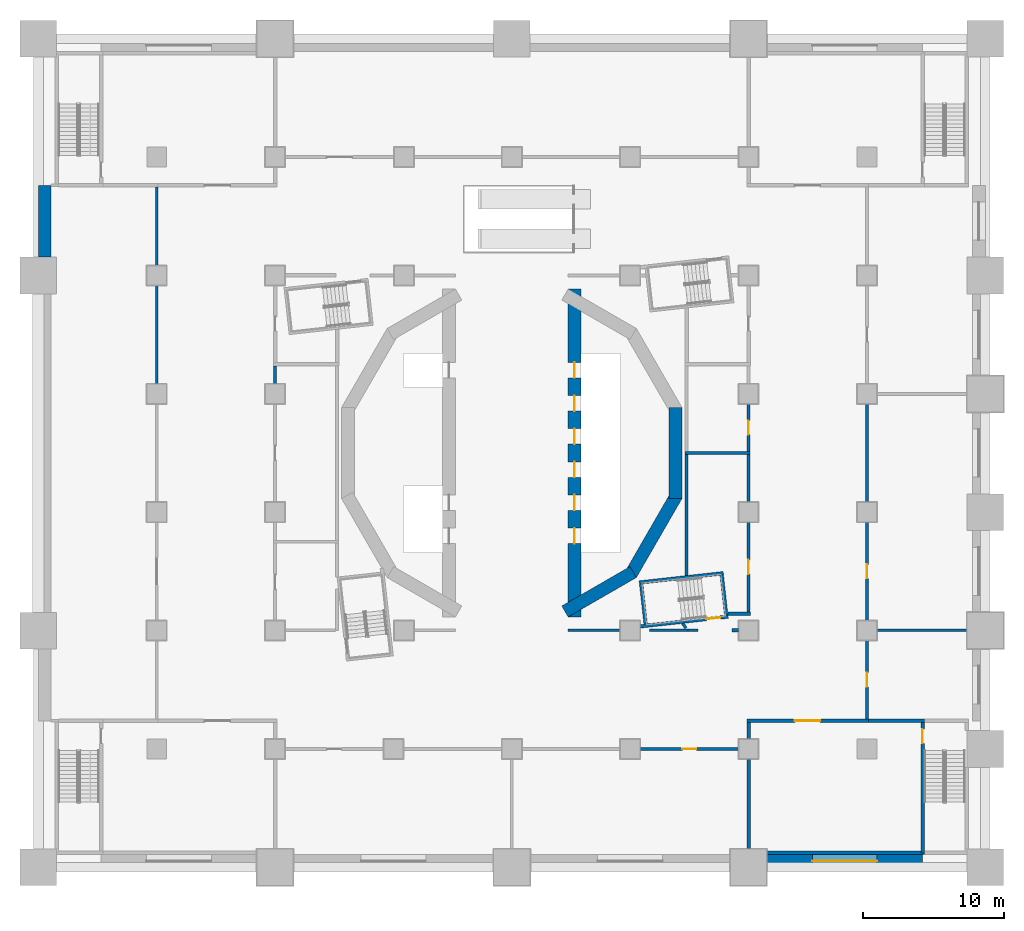
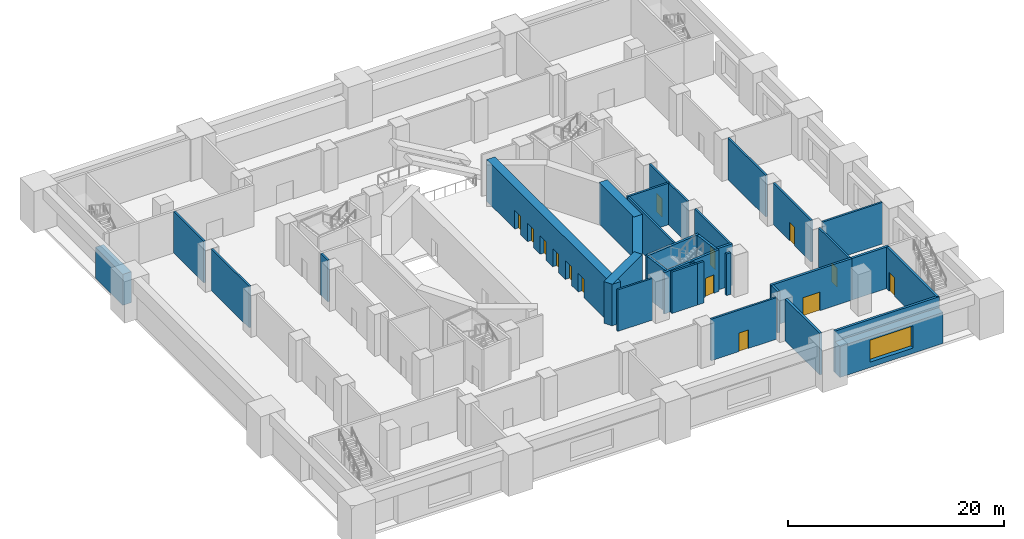
# One storey, part 3 of 18: 35 walls, 14 doors, 1 window, 15 openings.
"""IFC4 building model written with IfcOpenShell, lengths in metres."""

from ifc_helpers import new_model, si_unit, direction, frame, frame_2d, origin, place, context, subcontext, project, spatial, rectangle, extrude, material, layer, layer_set, type_object, element, fill, save


model = new_model("IFC4")

# Units and contexts
model_context = context("Model", 3, precision=1e-05, world=origin(), true_north=direction((0.0, 1.0)))
body_context = subcontext(model_context, "Body", "Model", "MODEL_VIEW")
ifc_project = project(units=[si_unit("LENGTHUNIT", "METRE"), si_unit("AREAUNIT", "SQUARE_METRE"), si_unit("VOLUMEUNIT", "CUBIC_METRE"), si_unit("PLANEANGLEUNIT", "RADIAN"), si_unit("MASSUNIT", "GRAM", prefix="KILO")], contexts=[model_context])

# Site, building, storey
site_placement = place(None, origin())
site = spatial("IfcSite", under=ifc_project, at=site_placement, CompositionType="ELEMENT")
building_placement = place(site_placement, origin())
building = spatial("IfcBuilding", under=site, at=building_placement, Name="Cantera Rosa Tower", CompositionType="ELEMENT")
storey_placement = place(building_placement, frame((0.0, 0.0, 17.0)))
storey = spatial("IfcBuildingStorey", under=building, at=storey_placement, Name="L02", CompositionType="ELEMENT", Elevation=17.0)

# Walls
ifc_material_1 = material(Name="Masonry blockwork", Category="masonry")
ifc_layer_1 = layer(ifc_material_1, 0.199951171875)
ifc_layer_set_1 = layer_set([ifc_layer_1], Name="Blockwork partition 200")
wall_type_1 = type_object("IfcWallType", Name="Blockwork partition 200", PredefinedType="PARTITIONING", material=ifc_layer_set_1)
wall_1_placement = place(storey_placement, frame((4.0, -12.57666015625, 0.0), z_axis=(0.0, 0.0, 1.0), x_axis=(1.0, 0.0, 0.0)))
element("IfcWall", 1, at=wall_1_placement, inside=storey, type_object=wall_type_1, Name="Partition L02-3", PredefinedType="PARTITIONING", context=body_context, shape_type="SweptSolid", body=[
    extrude(rectangle(XDim=3.699951171875, YDim=0.199951171875, at=frame_2d((1.85009765625, 0.0))), origin(), (0.0, 0.0, 1.0), 4.699951171875),
])
wall_2_placement = place(storey_placement, frame((9.768798828125, -12.57666015625, 0.0), z_axis=(0.0, 0.0, 1.0), x_axis=(1.0, 0.0, 0.0)))
element("IfcWall", 2, at=wall_2_placement, inside=storey, type_object=wall_type_1, Name="Partition L02-4", PredefinedType="PARTITIONING", context=body_context, shape_type="SweptSolid", body=[
    extrude(rectangle(XDim=2.731201171875, YDim=0.199951171875, at=frame_2d((1.36572265625, 0.0))), origin(), (0.0, 0.0, 1.0), 4.699951171875),
])
wall_3_placement = place(storey_placement, frame((12.5, -12.57666015625, 0.0), z_axis=(0.0, 0.0, 1.0), x_axis=(1.0, 0.0, 0.0)))
element("IfcWall", 3, at=wall_3_placement, inside=storey, type_object=wall_type_1, Name="Partition L02-5", PredefinedType="PARTITIONING", context=body_context, shape_type="SweptSolid", body=[
    extrude(rectangle(XDim=0.69873046875, YDim=0.199951171875, at=frame_2d((0.349365234375, 0.0))), origin(), (0.0, 0.0, 1.0), 4.699951171875),
])
wall_4_placement = place(storey_placement, frame((25.89990234375, -12.57666015625, 0.0), z_axis=(0.0, 0.0, 1.0), x_axis=(1.0, 0.0, 0.0)))
element("IfcWall", 4, at=wall_4_placement, inside=storey, type_object=wall_type_1, Name="Partition L02-7", PredefinedType="PARTITIONING", context=body_context, shape_type="SweptSolid", body=[
    extrude(rectangle(XDim=6.400146484375, YDim=0.199951171875, at=frame_2d((3.2001953125, 0.0))), origin(), (0.0, 0.0, 1.0), 4.699951171875),
])
wall_5_placement = place(storey_placement, frame((12.36474609375, -12.427978515625, 0.0), z_axis=(0.0, 0.0, 1.0), x_axis=(-0.586657106045, 0.809835440029, 0.0)))
element("IfcWall", 5, at=wall_5_placement, inside=storey, type_object=wall_type_1, Name="Partition L02-18", PredefinedType="PARTITIONING", context=body_context, shape_type="SweptSolid", body=[
    extrude(rectangle(XDim=0.412353515625, YDim=0.199951171875, at=frame_2d((0.2060546875, 0.0))), origin(), (0.0, 0.0, 1.0), 4.699951171875),
])
wall_6_placement = place(storey_placement, frame((12.39990234375, -8.6923828125, 0.0), z_axis=(0.0, 0.0, 1.0), x_axis=(0.0, 1.0, 0.0)))
element("IfcWall", 6, at=wall_6_placement, inside=storey, type_object=wall_type_1, Name="Partition L02-19", PredefinedType="PARTITIONING", context=body_context, shape_type="SweptSolid", body=[
    extrude(rectangle(XDim=8.59228515625, YDim=0.199951171875, at=frame_2d((4.296142578125, 0.0))), origin(), (0.0, 0.0, 1.0), 4.699951171875),
])
wall_7_placement = place(storey_placement, frame((12.300048828125, 0.0, 0.0), z_axis=(0.0, 0.0, 1.0), x_axis=(1.0, 0.0, 0.0)))
element("IfcWall", 7, at=wall_7_placement, inside=storey, type_object=wall_type_1, Name="Partition L02-22", PredefinedType="PARTITIONING", context=body_context, shape_type="SweptSolid", body=[
    extrude(rectangle(XDim=4.599853515625, YDim=0.199951171875, at=frame_2d((2.2998046875, 0.0))), origin(), (0.0, 0.0, 1.0), 4.699951171875),
])

# Wall, opening, door
wall_8_placement = place(storey_placement, frame((16.800048828125, -11.27490234375, 0.0), z_axis=(0.0, 0.0, 1.0), x_axis=(0.0, 1.0, 0.0)))
wall_8 = element("IfcWall", 8, at=wall_8_placement, inside=storey, type_object=wall_type_1, Name="Partition L02-25", PredefinedType="PARTITIONING", context=body_context, shape_type="SweptSolid", body=[
    extrude(rectangle(XDim=6.375, YDim=0.199951171875, at=frame_2d((3.1875, 0.0))), origin(), (0.0, 0.0, 1.0), 4.699951171875),
])
opening_1_placement = place(wall_8_placement, frame((2.6875, 0.0, 0.0)))
opening_1 = element("IfcOpeningElement", 9, at=opening_1_placement, cuts=wall_8, Name="Opening L02-008", PredefinedType="OPENING", context=body_context, shape_type="SweptSolid", body=[
    extrude(rectangle(XDim=1.0, YDim=2.10009765625, at=frame_2d((0.5, 1.050048828125))), frame((0.0, 0.10986328125, 0.0), z_axis=(0.0, -1.0, 0.0), x_axis=(1.0, 0.0, 0.0)), (0.0, 0.0, 1.0), 0.219970703125),
])
ifc_material_2 = material(Name="Timber", Category="wood")
door_type_1 = type_object("IfcDoorType", Name="Door 1000x2100", OperationType="NOTDEFINED", PredefinedType="DOOR", material=ifc_material_2)
door_1_placement = place(opening_1_placement, origin())
door_1 = element("IfcDoor", 10, at=door_1_placement, inside=storey, type_object=door_type_1, Name="Door L02-008", OverallHeight=2.10009765625, OverallWidth=1.0, PredefinedType="DOOR", context=body_context, shape_type="SweptSolid", body=[
    extrude(rectangle(XDim=1.0, YDim=2.10009765625, at=frame_2d((0.5, 1.050048828125))), frame((0.0, 0.02490234375, 0.0), z_axis=(0.0, -1.0, 0.0), x_axis=(1.0, 0.0, 0.0)), (0.0, 0.0, 1.0), 0.050048828125),
])
fill(opening_1, door_1)

# Wall
wall_9_placement = place(storey_placement, frame((16.800048828125, -3.5, 0.0), z_axis=(0.0, 0.0, 1.0), x_axis=(0.0, 1.0, 0.0)))
element("IfcWall", 11, at=wall_9_placement, inside=storey, type_object=wall_type_1, Name="Partition L02-26", PredefinedType="PARTITIONING", context=body_context, shape_type="SweptSolid", body=[
    extrude(rectangle(XDim=3.39990234375, YDim=0.199951171875, at=frame_2d((1.699951171875, 0.0))), origin(), (0.0, 0.0, 1.0), 4.699951171875),
])

# Wall, opening, door
wall_10_placement = place(storey_placement, frame((16.800048828125, 0.10009765625, 0.0), z_axis=(0.0, 0.0, 1.0), x_axis=(0.0, 1.0, 0.0)))
wall_10 = element("IfcWall", 12, at=wall_10_placement, inside=storey, type_object=wall_type_1, Name="Partition L02-27", PredefinedType="PARTITIONING", context=body_context, shape_type="SweptSolid", body=[
    extrude(rectangle(XDim=3.39990234375, YDim=0.199951171875, at=frame_2d((1.699951171875, 0.0))), origin(), (0.0, 0.0, 1.0), 4.699951171875),
])
opening_2_placement = place(wall_10_placement, frame((1.199951171875, 0.0, 0.0)))
opening_2 = element("IfcOpeningElement", 13, at=opening_2_placement, cuts=wall_10, Name="Opening L02-009", PredefinedType="OPENING", context=body_context, shape_type="SweptSolid", body=[
    extrude(rectangle(XDim=1.0, YDim=2.10009765625, at=frame_2d((0.5, 1.050048828125))), frame((0.0, 0.10986328125, 0.0), z_axis=(0.0, -1.0, 0.0), x_axis=(1.0, 0.0, 0.0)), (0.0, 0.0, 1.0), 0.219970703125),
])
door_2_placement = place(opening_2_placement, origin())
door_2 = element("IfcDoor", 14, at=door_2_placement, inside=storey, type_object=door_type_1, Name="Door L02-009", OverallHeight=2.10009765625, OverallWidth=1.0, PredefinedType="DOOR", context=body_context, shape_type="SweptSolid", body=[
    extrude(rectangle(XDim=1.0, YDim=2.10009765625, at=frame_2d((0.5, 1.050048828125))), frame((0.0, 0.02490234375, 0.0), z_axis=(0.0, -1.0, 0.0), x_axis=(1.0, 0.0, 0.0)), (0.0, 0.0, 1.0), 0.050048828125),
])
fill(opening_2, door_2)

# Wall
wall_11_placement = place(storey_placement, frame((-16.800048828125, 4.89990234375, 0.0), z_axis=(0.0, 0.0, 1.0), x_axis=(0.0, 1.0, 0.0)))
element("IfcWall", 15, at=wall_11_placement, inside=storey, type_object=wall_type_1, Name="Partition L02-40", PredefinedType="PARTITIONING", context=body_context, shape_type="SweptSolid", body=[
    extrude(rectangle(XDim=1.275146484375, YDim=0.199951171875, at=frame_2d((0.6376953125, 0.0))), origin(), (0.0, 0.0, 1.0), 4.699951171875),
])

# Wall, opening, door
wall_12_placement = place(storey_placement, frame((9.10009765625, -21.0, 0.0), z_axis=(0.0, 0.0, 1.0), x_axis=(1.0, 0.0, 0.0)))
wall_12 = element("IfcWall", 16, at=wall_12_placement, inside=storey, type_object=wall_type_1, Name="Partition L02-84", PredefinedType="PARTITIONING", context=body_context, shape_type="SweptSolid", body=[
    extrude(rectangle(XDim=7.0, YDim=0.199951171875, at=frame_2d((3.5, 0.0))), origin(), (0.0, 0.0, 1.0), 4.699951171875),
])
opening_3_placement = place(wall_12_placement, frame((3.0, 0.0, 0.0)))
opening_3 = element("IfcOpeningElement", 17, at=opening_3_placement, cuts=wall_12, Name="Opening L02-003", PredefinedType="OPENING", context=body_context, shape_type="SweptSolid", body=[
    extrude(rectangle(XDim=1.0, YDim=2.10009765625, at=frame_2d((0.5, 1.050048828125))), frame((0.0, 0.10986328125, 0.0), z_axis=(0.0, -1.0, 0.0), x_axis=(1.0, 0.0, 0.0)), (0.0, 0.0, 1.0), 0.219970703125),
])
door_3_placement = place(opening_3_placement, origin())
door_3 = element("IfcDoor", 18, at=door_3_placement, inside=storey, type_object=door_type_1, Name="Door L02-003", OverallHeight=2.10009765625, OverallWidth=1.0, PredefinedType="DOOR", context=body_context, shape_type="SweptSolid", body=[
    extrude(rectangle(XDim=1.0, YDim=2.10009765625, at=frame_2d((0.5, 1.050048828125))), frame((0.0, 0.02490234375, 0.0), z_axis=(0.0, -1.0, 0.0), x_axis=(1.0, 0.0, 0.0)), (0.0, 0.0, 1.0), 0.050048828125),
])
fill(opening_3, door_3)

wall_13_placement = place(storey_placement, frame((25.199951171875, -18.875, 0.0), z_axis=(0.0, 0.0, 1.0), x_axis=(0.0, 1.0, 0.0)))
wall_13 = element("IfcWall", 19, at=wall_13_placement, inside=storey, type_object=wall_type_1, Name="Partition L02-85", PredefinedType="PARTITIONING", context=body_context, shape_type="SweptSolid", body=[
    extrude(rectangle(XDim=5.574951171875, YDim=0.199951171875, at=frame_2d((2.78759765625, 0.0))), origin(), (0.0, 0.0, 1.0), 4.699951171875),
])
opening_4_placement = place(wall_13_placement, frame((2.28759765625, 0.0, 0.0)))
opening_4 = element("IfcOpeningElement", 20, at=opening_4_placement, cuts=wall_13, Name="Opening L02-004", PredefinedType="OPENING", context=body_context, shape_type="SweptSolid", body=[
    extrude(rectangle(XDim=1.0, YDim=2.10009765625, at=frame_2d((0.5, 1.050048828125))), frame((0.0, 0.10986328125, 0.0), z_axis=(0.0, -1.0, 0.0), x_axis=(1.0, 0.0, 0.0)), (0.0, 0.0, 1.0), 0.219970703125),
])
door_4_placement = place(opening_4_placement, origin())
door_4 = element("IfcDoor", 21, at=door_4_placement, inside=storey, type_object=door_type_1, Name="Door L02-004", OverallHeight=2.10009765625, OverallWidth=1.0, PredefinedType="DOOR", context=body_context, shape_type="SweptSolid", body=[
    extrude(rectangle(XDim=1.0, YDim=2.10009765625, at=frame_2d((0.5, 1.050048828125))), frame((0.0, 0.02490234375, 0.0), z_axis=(0.0, -1.0, 0.0), x_axis=(1.0, 0.0, 0.0)), (0.0, 0.0, 1.0), 0.050048828125),
])
fill(opening_4, door_4)

wall_14_placement = place(storey_placement, frame((25.199951171875, -11.89990234375, 0.0), z_axis=(0.0, 0.0, 1.0), x_axis=(0.0, 1.0, 0.0)))
wall_14 = element("IfcWall", 22, at=wall_14_placement, inside=storey, type_object=wall_type_1, Name="Partition L02-86", PredefinedType="PARTITIONING", context=body_context, shape_type="SweptSolid", body=[
    extrude(rectangle(XDim=7.0, YDim=0.199951171875, at=frame_2d((3.5, 0.0))), origin(), (0.0, 0.0, 1.0), 4.699951171875),
])
opening_5_placement = place(wall_14_placement, frame((3.0, 0.0, 0.0)))
opening_5 = element("IfcOpeningElement", 23, at=opening_5_placement, cuts=wall_14, Name="Opening L02-005", PredefinedType="OPENING", context=body_context, shape_type="SweptSolid", body=[
    extrude(rectangle(XDim=1.0, YDim=2.10009765625, at=frame_2d((0.5, 1.050048828125))), frame((0.0, 0.10986328125, 0.0), z_axis=(0.0, -1.0, 0.0), x_axis=(1.0, 0.0, 0.0)), (0.0, 0.0, 1.0), 0.219970703125),
])
door_5_placement = place(opening_5_placement, origin())
door_5 = element("IfcDoor", 24, at=door_5_placement, inside=storey, type_object=door_type_1, Name="Door L02-005", OverallHeight=2.10009765625, OverallWidth=1.0, PredefinedType="DOOR", context=body_context, shape_type="SweptSolid", body=[
    extrude(rectangle(XDim=1.0, YDim=2.10009765625, at=frame_2d((0.5, 1.050048828125))), frame((0.0, 0.02490234375, 0.0), z_axis=(0.0, -1.0, 0.0), x_axis=(1.0, 0.0, 0.0)), (0.0, 0.0, 1.0), 0.050048828125),
])
fill(opening_5, door_5)

# Walls
for number, where, z_axis, x_axis, name in (
    (25, (25.199951171875, -3.5, 0.0), (0.0, 0.0, 1.0), (0.0, 1.0, 0.0), "Partition L02-87"),
    (26, (-25.199951171875, 4.89990234375, 0.0), (0.0, 0.0, 1.0), (0.0, 1.0, 0.0), "Partition L02-94"),
):
    element("IfcWall", number, at=place(storey_placement, frame(where, z_axis=z_axis, x_axis=x_axis)), inside=storey, type_object=wall_type_1, Name=name, PredefinedType="PARTITIONING", context=body_context, shape_type="SweptSolid", body=[
        extrude(rectangle(XDim=7.0, YDim=0.199951171875, at=frame_2d((3.5, 0.0))), origin(), (0.0, 0.0, 1.0), 4.699951171875),
    ])
wall_15_placement = place(storey_placement, frame((-25.199951171875, 13.300048828125, 0.0), z_axis=(0.0, 0.0, 1.0), x_axis=(0.0, 1.0, 0.0)))
element("IfcWall", 27, at=wall_15_placement, inside=storey, type_object=wall_type_1, Name="Partition L02-95", PredefinedType="PARTITIONING", context=body_context, shape_type="SweptSolid", body=[
    extrude(rectangle(XDim=5.574951171875, YDim=0.199951171875, at=frame_2d((2.78759765625, 0.0))), origin(), (0.0, 0.0, 1.0), 4.699951171875),
])
ifc_material_3 = material(Name="Concrete C70/85", Category="concrete")
ifc_layer_2 = layer(ifc_material_3, 0.89990234375)
ifc_layer_set_2 = layer_set([ifc_layer_2], Name="Drum wall 900")
wall_type_2 = type_object("IfcWallType", Name="Drum wall 900", PredefinedType="SHEAR", material=ifc_layer_set_2)
wall_16_placement = place(storey_placement, frame((11.6240234375, 3.2353515625, 0.0), z_axis=(0.0, 0.0, 1.0), x_axis=(0.0, -1.0, 0.0)))
element("IfcWall", 28, at=wall_16_placement, inside=storey, type_object=wall_type_2, Name="Drum wall east 3 L02", PredefinedType="SHEAR", context=body_context, shape_type="SweptSolid", body=[
    extrude(rectangle(XDim=6.470703125, YDim=0.89990234375, at=frame_2d((3.2353515625, 0.0))), origin(), (0.0, 0.0, 1.0), 4.699951171875),
])
wall_17_placement = place(storey_placement, frame((11.684326171875, -3.01025390625, 0.0), z_axis=(0.0, 0.0, 1.0), x_axis=(-0.499990282633, -0.866031014036, 0.0)))
element("IfcWall", 29, at=wall_17_placement, inside=storey, type_object=wall_type_2, Name="Drum wall east 4 L02", PredefinedType="SHEAR", context=body_context, shape_type="SweptSolid", body=[
    extrude(rectangle(XDim=6.470458984375, YDim=0.89990234375, at=frame_2d((3.2353515625, 0.0))), origin(), (0.0, 0.0, 1.0), 4.699951171875),
])
wall_18_placement = place(storey_placement, frame((8.61376953125, -8.44921875, 0.0), z_axis=(0.0, 0.0, 1.0), x_axis=(-0.866026961591, -0.49999730179, 0.0)))
element("IfcWall", 30, at=wall_18_placement, inside=storey, type_object=wall_type_2, Name="Drum wall east 5 L02", PredefinedType="SHEAR", context=body_context, shape_type="SweptSolid", body=[
    extrude(rectangle(XDim=5.58740234375, YDim=0.89990234375, at=frame_2d((2.793701171875, 0.0))), origin(), (0.0, 0.0, 1.0), 4.699951171875),
])

# Wall, openings, doors
wall_19_placement = place(storey_placement, frame((4.449951171875, -11.632568359375, 0.0), z_axis=(0.0, 0.0, 1.0), x_axis=(0.0, 1.0, 0.0)))
wall_19 = element("IfcWall", 31, at=wall_19_placement, inside=storey, type_object=wall_type_2, Name="Drum wall east 6 L02", PredefinedType="SHEAR", context=body_context, shape_type="SweptSolid", body=[
    extrude(rectangle(XDim=23.26513671875, YDim=0.89990234375, at=frame_2d((11.632568359375, 0.0))), origin(), (0.0, 0.0, 1.0), 4.699951171875),
])
opening_6_placement = place(wall_19_placement, frame((7.5576171875, 0.0, 0.0)))
opening_6 = element("IfcOpeningElement", 32, at=opening_6_placement, cuts=wall_19, Name="Opening LD-FF1-L02", PredefinedType="OPENING", context=body_context, shape_type="SweptSolid", body=[
    extrude(rectangle(XDim=1.10009765625, YDim=2.10009765625, at=frame_2d((0.550048828125, 1.050048828125))), frame((0.0, 0.4599609375, 0.0), z_axis=(0.0, -1.0, 0.0), x_axis=(1.0, 0.0, 0.0)), (0.0, 0.0, 1.0), 0.919921875),
])
opening_7_placement = place(wall_19_placement, frame((9.907470703125, 0.0, 0.0)))
opening_7 = element("IfcOpeningElement", 33, at=opening_7_placement, cuts=wall_19, Name="Opening LD-FF2-L02", PredefinedType="OPENING", context=body_context, shape_type="SweptSolid", body=[
    extrude(rectangle(XDim=1.10009765625, YDim=2.10009765625, at=frame_2d((0.550048828125, 1.050048828125))), frame((0.0, 0.4599609375, 0.0), z_axis=(0.0, -1.0, 0.0), x_axis=(1.0, 0.0, 0.0)), (0.0, 0.0, 1.0), 0.919921875),
])
opening_8_placement = place(wall_19_placement, frame((12.257568359375, 0.0, 0.0)))
opening_8 = element("IfcOpeningElement", 34, at=opening_8_placement, cuts=wall_19, Name="Opening LD-P1-L02", PredefinedType="OPENING", context=body_context, shape_type="SweptSolid", body=[
    extrude(rectangle(XDim=1.10009765625, YDim=2.10009765625, at=frame_2d((0.550048828125, 1.050048828125))), frame((0.0, 0.4599609375, 0.0), z_axis=(0.0, -1.0, 0.0), x_axis=(1.0, 0.0, 0.0)), (0.0, 0.0, 1.0), 0.919921875),
])
opening_9_placement = place(wall_19_placement, frame((14.607421875, 0.0, 0.0)))
opening_9 = element("IfcOpeningElement", 35, at=opening_9_placement, cuts=wall_19, Name="Opening LD-P2-L02", PredefinedType="OPENING", context=body_context, shape_type="SweptSolid", body=[
    extrude(rectangle(XDim=1.10009765625, YDim=2.10009765625, at=frame_2d((0.550048828125, 1.050048828125))), frame((0.0, 0.4599609375, 0.0), z_axis=(0.0, -1.0, 0.0), x_axis=(1.0, 0.0, 0.0)), (0.0, 0.0, 1.0), 0.919921875),
])
opening_10_placement = place(wall_19_placement, frame((5.20751953125, 0.0, 0.0)))
opening_10 = element("IfcOpeningElement", 36, at=opening_10_placement, cuts=wall_19, Name="Opening LD-P6-L02", PredefinedType="OPENING", context=body_context, shape_type="SweptSolid", body=[
    extrude(rectangle(XDim=1.10009765625, YDim=2.10009765625, at=frame_2d((0.550048828125, 1.050048828125))), frame((0.0, 0.4599609375, 0.0), z_axis=(0.0, -1.0, 0.0), x_axis=(1.0, 0.0, 0.0)), (0.0, 0.0, 1.0), 0.919921875),
])
opening_11_placement = place(wall_19_placement, frame((16.95751953125, 0.0, 0.0)))
opening_11 = element("IfcOpeningElement", 37, at=opening_11_placement, cuts=wall_19, Name="Opening LD-PC1-L02", PredefinedType="OPENING", context=body_context, shape_type="SweptSolid", body=[
    extrude(rectangle(XDim=1.10009765625, YDim=2.10009765625, at=frame_2d((0.550048828125, 1.050048828125))), frame((0.0, 0.4599609375, 0.0), z_axis=(0.0, -1.0, 0.0), x_axis=(1.0, 0.0, 0.0)), (0.0, 0.0, 1.0), 0.919921875),
])
ifc_material_4 = material(Name="Steel S355J2 (EN 10025-2)", Category="steel")
door_type_2 = type_object("IfcDoorType", Name="LANDING DOOR 1100x2100", OperationType="NOTDEFINED", PredefinedType="DOOR", material=ifc_material_4)
door_6_placement = place(opening_6_placement, origin())
door_6 = element("IfcDoor", 38, at=door_6_placement, inside=storey, type_object=door_type_2, Name="LANDING DOOR FF1 L02", OperationType="SLIDING_TO_LEFT", OverallHeight=2.10009765625, OverallWidth=1.10009765625, PredefinedType="DOOR", context=body_context, shape_type="SweptSolid", body=[
    extrude(rectangle(XDim=1.10009765625, YDim=2.10009765625, at=frame_2d((0.550048828125, 1.050048828125))), frame((0.0, 0.02490234375, 0.0), z_axis=(0.0, -1.0, 0.0), x_axis=(1.0, 0.0, 0.0)), (0.0, 0.0, 1.0), 0.050048828125),
])
fill(opening_6, door_6)
door_7_placement = place(opening_7_placement, origin())
door_7 = element("IfcDoor", 39, at=door_7_placement, inside=storey, type_object=door_type_2, Name="LANDING DOOR FF2 L02", OperationType="SLIDING_TO_LEFT", OverallHeight=2.10009765625, OverallWidth=1.10009765625, PredefinedType="DOOR", context=body_context, shape_type="SweptSolid", body=[
    extrude(rectangle(XDim=1.10009765625, YDim=2.10009765625, at=frame_2d((0.550048828125, 1.050048828125))), frame((0.0, 0.02490234375, 0.0), z_axis=(0.0, -1.0, 0.0), x_axis=(1.0, 0.0, 0.0)), (0.0, 0.0, 1.0), 0.050048828125),
])
fill(opening_7, door_7)
door_8_placement = place(opening_8_placement, origin())
door_8 = element("IfcDoor", 40, at=door_8_placement, inside=storey, type_object=door_type_2, Name="LANDING DOOR P1 L02", OperationType="SLIDING_TO_LEFT", OverallHeight=2.10009765625, OverallWidth=1.10009765625, PredefinedType="DOOR", context=body_context, shape_type="SweptSolid", body=[
    extrude(rectangle(XDim=1.10009765625, YDim=2.10009765625, at=frame_2d((0.550048828125, 1.050048828125))), frame((0.0, 0.02490234375, 0.0), z_axis=(0.0, -1.0, 0.0), x_axis=(1.0, 0.0, 0.0)), (0.0, 0.0, 1.0), 0.050048828125),
])
fill(opening_8, door_8)
door_9_placement = place(opening_9_placement, origin())
door_9 = element("IfcDoor", 41, at=door_9_placement, inside=storey, type_object=door_type_2, Name="LANDING DOOR P2 L02", OperationType="SLIDING_TO_LEFT", OverallHeight=2.10009765625, OverallWidth=1.10009765625, PredefinedType="DOOR", context=body_context, shape_type="SweptSolid", body=[
    extrude(rectangle(XDim=1.10009765625, YDim=2.10009765625, at=frame_2d((0.550048828125, 1.050048828125))), frame((0.0, 0.02490234375, 0.0), z_axis=(0.0, -1.0, 0.0), x_axis=(1.0, 0.0, 0.0)), (0.0, 0.0, 1.0), 0.050048828125),
])
fill(opening_9, door_9)
door_10_placement = place(opening_10_placement, origin())
door_10 = element("IfcDoor", 42, at=door_10_placement, inside=storey, type_object=door_type_2, Name="LANDING DOOR P6 L02", OperationType="SLIDING_TO_LEFT", OverallHeight=2.10009765625, OverallWidth=1.10009765625, PredefinedType="DOOR", context=body_context, shape_type="SweptSolid", body=[
    extrude(rectangle(XDim=1.10009765625, YDim=2.10009765625, at=frame_2d((0.550048828125, 1.050048828125))), frame((0.0, 0.02490234375, 0.0), z_axis=(0.0, -1.0, 0.0), x_axis=(1.0, 0.0, 0.0)), (0.0, 0.0, 1.0), 0.050048828125),
])
fill(opening_10, door_10)
door_11_placement = place(opening_11_placement, origin())
door_11 = element("IfcDoor", 43, at=door_11_placement, inside=storey, type_object=door_type_2, Name="LANDING DOOR PC1 L02", OperationType="SLIDING_TO_LEFT", OverallHeight=2.10009765625, OverallWidth=1.10009765625, PredefinedType="DOOR", context=body_context, shape_type="SweptSolid", body=[
    extrude(rectangle(XDim=1.10009765625, YDim=2.10009765625, at=frame_2d((0.550048828125, 1.050048828125))), frame((0.0, 0.02490234375, 0.0), z_axis=(0.0, -1.0, 0.0), x_axis=(1.0, 0.0, 0.0)), (0.0, 0.0, 1.0), 0.050048828125),
])
fill(opening_11, door_11)

# Walls
ifc_material_5 = material(Name="Masonry blockwork", Category="masonry")
ifc_layer_3 = layer(ifc_material_5, 0.25)
ifc_layer_set_3 = layer_set([ifc_layer_3], Name="Fire-rated external wall 250")
wall_type_3 = type_object("IfcWallType", Name="Fire-rated external wall 250", PredefinedType="PARTITIONING", material=ifc_layer_set_3)
wall_20_placement = place(storey_placement, frame((18.10009765625, -28.375, 0.0), z_axis=(0.0, 0.0, 1.0), x_axis=(1.0, 0.0, 0.0)))
element("IfcWall", 44, at=wall_20_placement, inside=storey, type_object=wall_type_3, Name="Fire wall L02-74", PredefinedType="PARTITIONING", context=body_context, shape_type="SweptSolid", body=[
    extrude(rectangle(XDim=11.1748046875, YDim=0.25, at=frame_2d((5.58740234375, 0.0))), origin(), (0.0, 0.0, 1.0), 4.699951171875),
])
ifc_material_6 = material(Name="Masonry blockwork", Category="masonry")
ifc_layer_4 = layer(ifc_material_6, 0.25)
ifc_layer_set_4 = layer_set([ifc_layer_4], Name="Fire-rated wall 250")
wall_type_4 = type_object("IfcWallType", Name="Fire-rated wall 250", PredefinedType="PARTITIONING", material=ifc_layer_set_4)
wall_21_placement = place(storey_placement, frame((15.613525390625, -12.57666015625, 0.0), z_axis=(0.0, 0.0, 1.0), x_axis=(1.0, 0.0, 0.0)))
element("IfcWall", 45, at=wall_21_placement, inside=storey, type_object=wall_type_4, Name="Fire wall L02-6", PredefinedType="PARTITIONING", context=body_context, shape_type="SweptSolid", body=[
    extrude(rectangle(XDim=0.486572265625, YDim=0.25, at=frame_2d((0.2431640625, 0.0))), origin(), (0.0, 0.0, 1.0), 4.699951171875),
])
wall_22_placement = place(storey_placement, frame((16.800048828125, -28.10009765625, 0.0), z_axis=(0.0, 0.0, 1.0), x_axis=(0.0, 1.0, 0.0)))
element("IfcWall", 46, at=wall_22_placement, inside=storey, type_object=wall_type_4, Name="Fire wall L02-23", PredefinedType="PARTITIONING", context=body_context, shape_type="SweptSolid", body=[
    extrude(rectangle(XDim=6.400146484375, YDim=0.25, at=frame_2d((3.2001953125, 0.0))), origin(), (0.0, 0.0, 1.0), 4.699951171875),
])
wall_23_placement = place(storey_placement, frame((16.800048828125, -20.300048828125, 0.0), z_axis=(0.0, 0.0, 1.0), x_axis=(0.0, 1.0, 0.0)))
element("IfcWall", 47, at=wall_23_placement, inside=storey, type_object=wall_type_4, Name="Fire wall L02-24", PredefinedType="PARTITIONING", context=body_context, shape_type="SweptSolid", body=[
    extrude(rectangle(XDim=1.175048828125, YDim=0.25, at=frame_2d((0.58740234375, 0.0))), origin(), (0.0, 0.0, 1.0), 4.699951171875),
])
wall_24_placement = place(storey_placement, frame((15.329345703125, -11.39990234375, 0.0), z_axis=(0.0, 0.0, 1.0), x_axis=(1.0, 0.0, 0.0)))
element("IfcWall", 48, at=wall_24_placement, inside=storey, type_object=wall_type_4, Name="Fire wall L02-32", PredefinedType="PARTITIONING", context=body_context, shape_type="SweptSolid", body=[
    extrude(rectangle(XDim=1.595703125, YDim=0.25, at=frame_2d((0.7978515625, 0.0))), origin(), (0.0, 0.0, 1.0), 4.699951171875),
])

# Wall, opening, door
wall_25_placement = place(storey_placement, frame((16.675048828125, -19.0, 0.0), z_axis=(0.0, 0.0, 1.0), x_axis=(1.0, 0.0, 0.0)))
wall_25 = element("IfcWall", 49, at=wall_25_placement, inside=storey, type_object=wall_type_4, Name="Fire wall L02-69", PredefinedType="PARTITIONING", context=body_context, shape_type="SweptSolid", body=[
    extrude(rectangle(XDim=8.625, YDim=0.25, at=frame_2d((4.3125, 0.0))), origin(), (0.0, 0.0, 1.0), 4.699951171875),
])
opening_12_placement = place(wall_25_placement, frame((3.41259765625, 0.0, 0.0)))
opening_12 = element("IfcOpeningElement", 50, at=opening_12_placement, cuts=wall_25, Name="Opening L02-018", PredefinedType="OPENING", context=body_context, shape_type="SweptSolid", body=[
    extrude(rectangle(XDim=1.800048828125, YDim=2.10009765625, at=frame_2d((0.89990234375, 1.050048828125))), frame((0.0, 0.135009765625, 0.0), z_axis=(0.0, -1.0, 0.0), x_axis=(1.0, 0.0, 0.0)), (0.0, 0.0, 1.0), 0.27001953125),
])
ifc_material_7 = material(Name="Steel S355J2 (EN 10025-2)", Category="steel")
door_type_3 = type_object("IfcDoorType", Name="Fire double door 1800x2100", OperationType="NOTDEFINED", PredefinedType="DOOR", material=ifc_material_7)
door_12_placement = place(opening_12_placement, origin())
door_12 = element("IfcDoor", 51, at=door_12_placement, inside=storey, type_object=door_type_3, Name="Door L02-018", OperationType="DOUBLE_DOOR_SINGLE_SWING", OverallHeight=2.10009765625, OverallWidth=1.800048828125, PredefinedType="DOOR", context=body_context, shape_type="SweptSolid", body=[
    extrude(rectangle(XDim=1.800048828125, YDim=2.10009765625, at=frame_2d((0.89990234375, 1.050048828125))), frame((0.0, 0.02490234375, 0.0), z_axis=(0.0, -1.0, 0.0), x_axis=(1.0, 0.0, 0.0)), (0.0, 0.0, 1.0), 0.050048828125),
])
fill(opening_12, door_12)

# Wall
wall_26_placement = place(storey_placement, frame((25.300048828125, -19.0, 0.0), z_axis=(0.0, 0.0, 1.0), x_axis=(1.0, 0.0, 0.0)))
element("IfcWall", 52, at=wall_26_placement, inside=storey, type_object=wall_type_4, Name="Fire wall L02-70", PredefinedType="PARTITIONING", context=body_context, shape_type="SweptSolid", body=[
    extrude(rectangle(XDim=3.974853515625, YDim=0.25, at=frame_2d((1.9873046875, 0.0))), origin(), (0.0, 0.0, 1.0), 4.699951171875),
])

# Wall, opening, door
ifc_material_8 = material(Name="Concrete C50/60", Category="concrete")
ifc_layer_5 = layer(ifc_material_8, 0.25)
ifc_layer_set_5 = layer_set([ifc_layer_5], Name="RC stair wall 250 C50/60")
wall_type_5 = type_object("IfcWallType", Name="RC stair wall 250", PredefinedType="SOLIDWALL", material=ifc_layer_set_5)
wall_27_placement = place(storey_placement, frame((29.14990234375, -28.375, 0.0), z_axis=(0.0, 0.0, 1.0), x_axis=(0.0, 1.0, 0.0)))
wall_27 = element("IfcWall", 53, at=wall_27_placement, inside=storey, type_object=wall_type_5, Name="Stair wall L02-52", PredefinedType="SOLIDWALL", context=body_context, shape_type="SweptSolid", body=[
    extrude(rectangle(XDim=9.25, YDim=0.25, at=frame_2d((4.625, 0.0))), origin(), (0.0, 0.0, 1.0), 4.699951171875),
])
opening_13_placement = place(wall_27_placement, frame((7.77490234375, 0.0, 0.0)))
opening_13 = element("IfcOpeningElement", 54, at=opening_13_placement, cuts=wall_27, Name="Opening L02-019", PredefinedType="OPENING", context=body_context, shape_type="SweptSolid", body=[
    extrude(rectangle(XDim=1.0, YDim=2.10009765625, at=frame_2d((0.5, 1.050048828125))), frame((0.0, 0.135009765625, 0.0), z_axis=(0.0, -1.0, 0.0), x_axis=(1.0, 0.0, 0.0)), (0.0, 0.0, 1.0), 0.27001953125),
])
ifc_material_9 = material(Name="Steel S355J2 (EN 10025-2)", Category="steel")
door_type_4 = type_object("IfcDoorType", Name="Fire door 1000x2100 EI 120", OperationType="NOTDEFINED", PredefinedType="DOOR", material=ifc_material_9)
door_13_placement = place(opening_13_placement, origin())
door_13 = element("IfcDoor", 55, at=door_13_placement, inside=storey, type_object=door_type_4, Name="Door L02-019", OverallHeight=2.10009765625, OverallWidth=1.0, PredefinedType="DOOR", context=body_context, shape_type="SweptSolid", body=[
    extrude(rectangle(XDim=1.0, YDim=2.10009765625, at=frame_2d((0.5, 1.050048828125))), frame((0.0, 0.02490234375, 0.0), z_axis=(0.0, -1.0, 0.0), x_axis=(1.0, 0.0, 0.0)), (0.0, 0.0, 1.0), 0.050048828125),
])
fill(opening_13, door_13)

# Wall
wall_28_placement = place(storey_placement, frame((14.900390625, -8.66650390625, 0.0), z_axis=(0.0, 0.0, 1.0), x_axis=(0.110243491536, -0.993904609394, 0.0)))
element("IfcWall", 56, at=wall_28_placement, inside=storey, type_object=wall_type_5, Name="Stair wall ST-14 L02-1", PredefinedType="SOLIDWALL", context=body_context, shape_type="SweptSolid", body=[
    extrude(rectangle(XDim=2.85009765625, YDim=0.25, at=frame_2d((1.425048828125, 0.0))), origin(), (0.0, 0.0, 1.0), 4.699951171875),
])

# Wall, opening, door
wall_29_placement = place(storey_placement, frame((15.352783203125, -11.609619140625, 0.0), z_axis=(0.0, 0.0, 1.0), x_axis=(-0.993897004728, -0.11031203014, 0.0)))
wall_29 = element("IfcWall", 57, at=wall_29_placement, inside=storey, type_object=wall_type_5, Name="Stair wall ST-14 L02-2", PredefinedType="SOLIDWALL", context=body_context, shape_type="SweptSolid", body=[
    extrude(rectangle(XDim=6.27880859375, YDim=0.25, at=frame_2d((3.139404296875, 0.0))), origin(), (0.0, 0.0, 1.0), 4.699951171875),
])
opening_14_placement = place(wall_29_placement, frame((0.550048828125, 0.0, 0.0)))
opening_14 = element("IfcOpeningElement", 58, at=opening_14_placement, cuts=wall_29, Name="Opening L02-ST-14", PredefinedType="OPENING", context=body_context, shape_type="SweptSolid", body=[
    extrude(rectangle(XDim=1.0, YDim=2.10009765625, at=frame_2d((0.5, 1.050048828125))), frame((0.0, 0.135009765625, 0.0), z_axis=(0.0, -1.0, 0.0), x_axis=(1.0, 0.0, 0.0)), (0.0, 0.0, 1.0), 0.27001953125),
])
door_14_placement = place(opening_14_placement, origin())
door_14 = element("IfcDoor", 59, at=door_14_placement, inside=storey, type_object=door_type_4, Name="Door L02-ST-14", OverallHeight=2.10009765625, OverallWidth=1.0, PredefinedType="DOOR", context=body_context, shape_type="SweptSolid", body=[
    extrude(rectangle(XDim=1.0, YDim=2.10009765625, at=frame_2d((0.5, 1.050048828125))), frame((0.0, 0.02490234375, 0.0), z_axis=(0.0, -1.0, 0.0), x_axis=(1.0, 0.0, 0.0)), (0.0, 0.0, 1.0), 0.050048828125),
])
fill(opening_14, door_14)

# Walls
wall_30_placement = place(storey_placement, frame((9.499755859375, -12.133544921875, 0.0), z_axis=(0.0, 0.0, 1.0), x_axis=(-0.110328108544, 0.993895220063, 0.0)))
element("IfcWall", 60, at=wall_30_placement, inside=storey, type_object=wall_type_5, Name="Stair wall ST-14 L02-3", PredefinedType="SOLIDWALL", context=body_context, shape_type="SweptSolid", body=[
    extrude(rectangle(XDim=2.85009765625, YDim=0.25, at=frame_2d((1.425048828125, 0.0))), origin(), (0.0, 0.0, 1.0), 4.699951171875),
])
wall_31_placement = place(storey_placement, frame((9.04736328125, -9.1904296875, 0.0), z_axis=(0.0, 0.0, 1.0), x_axis=(0.993897125329, 0.110310943534, 0.0)))
element("IfcWall", 61, at=wall_31_placement, inside=storey, type_object=wall_type_5, Name="Stair wall ST-14 L02-4", PredefinedType="SOLIDWALL", context=body_context, shape_type="SweptSolid", body=[
    extrude(rectangle(XDim=6.0, YDim=0.25, at=frame_2d((3.0, 0.0))), origin(), (0.0, 0.0, 1.0), 4.699951171875),
])

# Wall, opening, window
ifc_material_10 = material(Name="Concrete C40/50 with limestone facing", Category="masonry")
ifc_layer_6 = layer(ifc_material_10, 0.89990234375)
ifc_layer_set_6 = layer_set([ifc_layer_6], Name="Stone podium wall 900")
wall_type_6 = type_object("IfcWallType", Name="Stone podium wall 900", PredefinedType="SOLIDWALL", material=ifc_layer_set_6)
wall_32_placement = place(storey_placement, frame((29.14990234375, -28.949951171875, 0.0), z_axis=(0.0, 0.0, 1.0), x_axis=(-1.0, 0.0, 0.0)))
wall_32 = element("IfcWall", 62, at=wall_32_placement, inside=storey, type_object=wall_type_6, Name="Stone wall S L02-4", PredefinedType="SOLIDWALL", context=body_context, shape_type="SweptSolid", body=[
    extrude(rectangle(XDim=11.0498046875, YDim=0.89990234375, at=frame_2d((5.52490234375, 0.0))), origin(), (0.0, 0.0, 1.0), 3.5),
])
opening_15_placement = place(wall_32_placement, frame((3.22509765625, 0.0, 0.60009765625)))
opening_15 = element("IfcOpeningElement", 63, at=opening_15_placement, cuts=wall_32, Name="Opening L02-PWS4", PredefinedType="OPENING", context=body_context, shape_type="SweptSolid", body=[
    extrude(rectangle(XDim=4.60009765625, YDim=2.5, at=frame_2d((2.300048828125, 1.25))), frame((0.0, 0.4599609375, 0.0), z_axis=(0.0, -1.0, 0.0), x_axis=(1.0, 0.0, 0.0)), (0.0, 0.0, 1.0), 0.919921875),
])
ifc_material_11 = material(Name="Glass", Category="glass")
window_type = type_object("IfcWindowType", Name="Podium window 4600x2500", PartitioningType="SINGLE_PANEL", PredefinedType="WINDOW", material=ifc_material_11)
window_placement = place(opening_15_placement, origin())
window = element("IfcWindow", 64, at=window_placement, inside=storey, type_object=window_type, Name="Podium window L02-S4", OverallHeight=2.5, OverallWidth=4.60009765625, PartitioningType="SINGLE_PANEL", PredefinedType="WINDOW", context=body_context, shape_type="SweptSolid", body=[
    extrude(rectangle(XDim=4.60009765625, YDim=2.5, at=frame_2d((2.300048828125, 1.25))), frame((0.0, 0.030029296875, 0.0), z_axis=(0.0, -1.0, 0.0), x_axis=(1.0, 0.0, 0.0)), (0.0, 0.0, 1.0), 0.06005859375),
])
fill(opening_15, window)

# Wall
wall_33_placement = place(storey_placement, frame((-33.14990234375, 19.0, 0.0), z_axis=(0.0, 0.0, 1.0), x_axis=(0.0, -1.0, 0.0)))
element("IfcWall", 65, at=wall_33_placement, inside=storey, type_object=wall_type_6, Name="Stone wall W L02-3", PredefinedType="SOLIDWALL", context=body_context, shape_type="SweptSolid", body=[
    extrude(rectangle(XDim=5.10009765625, YDim=0.89990234375, at=frame_2d((2.550048828125, 0.0))), origin(), (0.0, 0.0, 1.0), 3.5),
])

save(model, "model.ifc")
